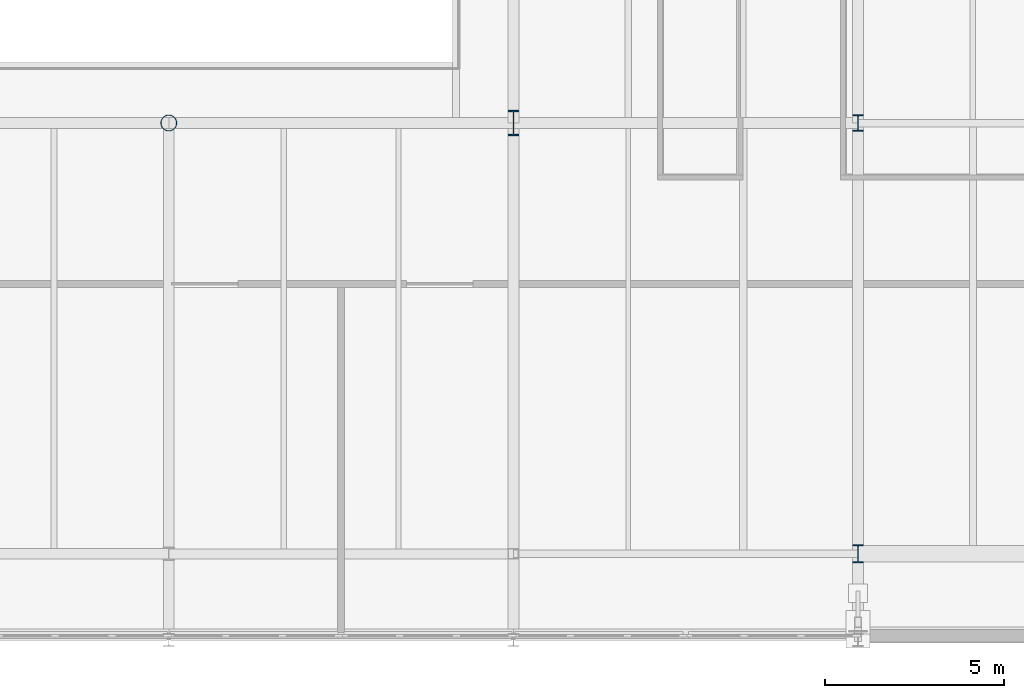
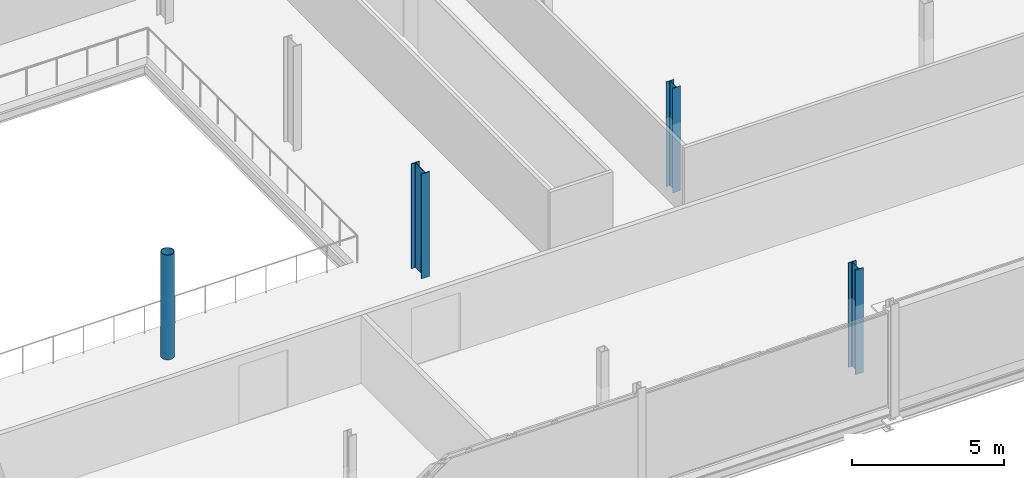
# One storey, part 6 of 90: 4 columns.
"""IFC4 building model written with IfcOpenShell, lengths in metres."""

from ifc_helpers import new_model, si_unit, direction, frame, origin, origin_2d, place, context, subcontext, project, spatial, hollow_circle, i_section, extrude, material, material_profile, profile_set, type_object, element, save


model = new_model("IFC4")

# Units and contexts
model_context = context("Model", 3, precision=1e-05, world=origin(), true_north=direction((0.0, 1.0)))
body_context = subcontext(model_context, "Body", "Model", "MODEL_VIEW")
ifc_project = project(units=[si_unit("LENGTHUNIT", "METRE"), si_unit("AREAUNIT", "SQUARE_METRE"), si_unit("VOLUMEUNIT", "CUBIC_METRE"), si_unit("PLANEANGLEUNIT", "RADIAN"), si_unit("MASSUNIT", "GRAM", prefix="KILO")], contexts=[model_context])

# Site, building, storey
site_placement = place(None, origin())
site = spatial("IfcSite", under=ifc_project, at=site_placement, CompositionType="ELEMENT")
building_placement = place(site_placement, origin())
building = spatial("IfcBuilding", under=site, at=building_placement, Name="Zereglee Splitstone Museum", CompositionType="ELEMENT")
storey_placement = place(building_placement, frame((0.0, 0.0, 4.800048828125)))
storey = spatial("IfcBuildingStorey", under=building, at=storey_placement, Name="L01", CompositionType="ELEMENT", Elevation=4.800048828125)

# Columns
ifc_material_1 = material(Name="Steel S355J2H", Category="steel")
ifc_material_profile_1 = material_profile(ifc_material_1, hollow_circle(Radius=0.228515625, WallThickness=0.02001953125, at=origin_2d()), Name="CHS 457.0x20")
ifc_profile_set_1 = profile_set([ifc_material_profile_1], Name="Steel S355J2H")
column_type_1 = type_object("IfcColumnType", Name="C-17", PredefinedType="COLUMN", material=ifc_profile_set_1)
column_1_placement = place(storey_placement, frame((106.800048828125, 21.60009765625, 0.0), z_axis=(0.0, 0.0, 1.0), x_axis=(1.0, 0.0, 0.0)))
element("IfcColumn", 1, at=column_1_placement, inside=storey, type_object=column_type_1, Name="Column 13/C L01", PredefinedType="COLUMN", context=body_context, shape_type="SweptSolid", body=[
    extrude(hollow_circle(Radius=0.228515625, WallThickness=0.02001953125, at=origin_2d()), origin(), (0.0, 0.0, 1.0), 4.199951171875),
])
ifc_material_2 = material(Name="Steel S355J2", Category="steel")
ifc_material_profile_2 = material_profile(ifc_material_2, i_section(OverallWidth=0.300048828125, OverallDepth=0.449951171875, WebThickness=0.013916015625, FlangeThickness=0.02587890625, FilletRadius=0.027099609375, at=origin_2d()), Name="HE 450 B")
ifc_profile_set_2 = profile_set([ifc_material_profile_2], Name="Steel S355J2")
column_type_2 = type_object("IfcColumnType", Name="C-14", PredefinedType="COLUMN", material=ifc_profile_set_2)
column_2_placement = place(storey_placement, frame((126.0, 21.60009765625, 0.0), z_axis=(0.0, 0.0, 1.0), x_axis=(1.0, 0.0, 0.0)))
element("IfcColumn", 2, at=column_2_placement, inside=storey, type_object=column_type_2, Name="Column 15/C L01", PredefinedType="COLUMN", context=body_context, shape_type="SweptSolid", body=[
    extrude(i_section(OverallWidth=0.300048828125, OverallDepth=0.449951171875, WebThickness=0.013916015625, FlangeThickness=0.02587890625, FilletRadius=0.027099609375, at=origin_2d()), origin(), (0.0, 0.0, 1.0), 4.199951171875),
])
ifc_material_profile_3 = material_profile(ifc_material_2, i_section(OverallWidth=0.300048828125, OverallDepth=0.5, WebThickness=0.014404296875, FlangeThickness=0.028076171875, FilletRadius=0.027099609375, at=origin_2d()), Name="HE 500 B")
ifc_profile_set_3 = profile_set([ifc_material_profile_3], Name="Steel S355J2")
column_type_3 = type_object("IfcColumnType", Name="C-13", PredefinedType="COLUMN", material=ifc_profile_set_3)
column_3_placement = place(storey_placement, frame((126.0, 9.60009765625, 0.0), z_axis=(0.0, 0.0, 1.0), x_axis=(1.0, 0.0, 0.0)))
element("IfcColumn", 3, at=column_3_placement, inside=storey, type_object=column_type_3, Name="Column 15/B L01", PredefinedType="COLUMN", context=body_context, shape_type="SweptSolid", body=[
    extrude(i_section(OverallWidth=0.300048828125, OverallDepth=0.5, WebThickness=0.014404296875, FlangeThickness=0.028076171875, FilletRadius=0.027099609375, at=origin_2d()), origin(), (0.0, 0.0, 1.0), 4.199951171875),
])
ifc_material_profile_4 = material_profile(ifc_material_2, i_section(OverallWidth=0.300048828125, OverallDepth=0.699951171875, WebThickness=0.01708984375, FlangeThickness=0.031982421875, FilletRadius=0.027099609375, at=origin_2d()), Name="HE 700 B")
ifc_profile_set_4 = profile_set([ifc_material_profile_4], Name="Steel S355J2")
column_type_4 = type_object("IfcColumnType", Name="C-09", PredefinedType="COLUMN", material=ifc_profile_set_4)
column_4_placement = place(storey_placement, frame((116.39990234375, 21.60009765625, 0.0), z_axis=(0.0, 0.0, 1.0), x_axis=(1.0, 0.0, 0.0)))
element("IfcColumn", 4, at=column_4_placement, inside=storey, type_object=column_type_4, Name="Column 14/C L01", PredefinedType="COLUMN", context=body_context, shape_type="SweptSolid", body=[
    extrude(i_section(OverallWidth=0.300048828125, OverallDepth=0.699951171875, WebThickness=0.01708984375, FlangeThickness=0.031982421875, FilletRadius=0.027099609375, at=origin_2d()), origin(), (0.0, 0.0, 1.0), 4.199951171875),
])

save(model, "model.ifc")
